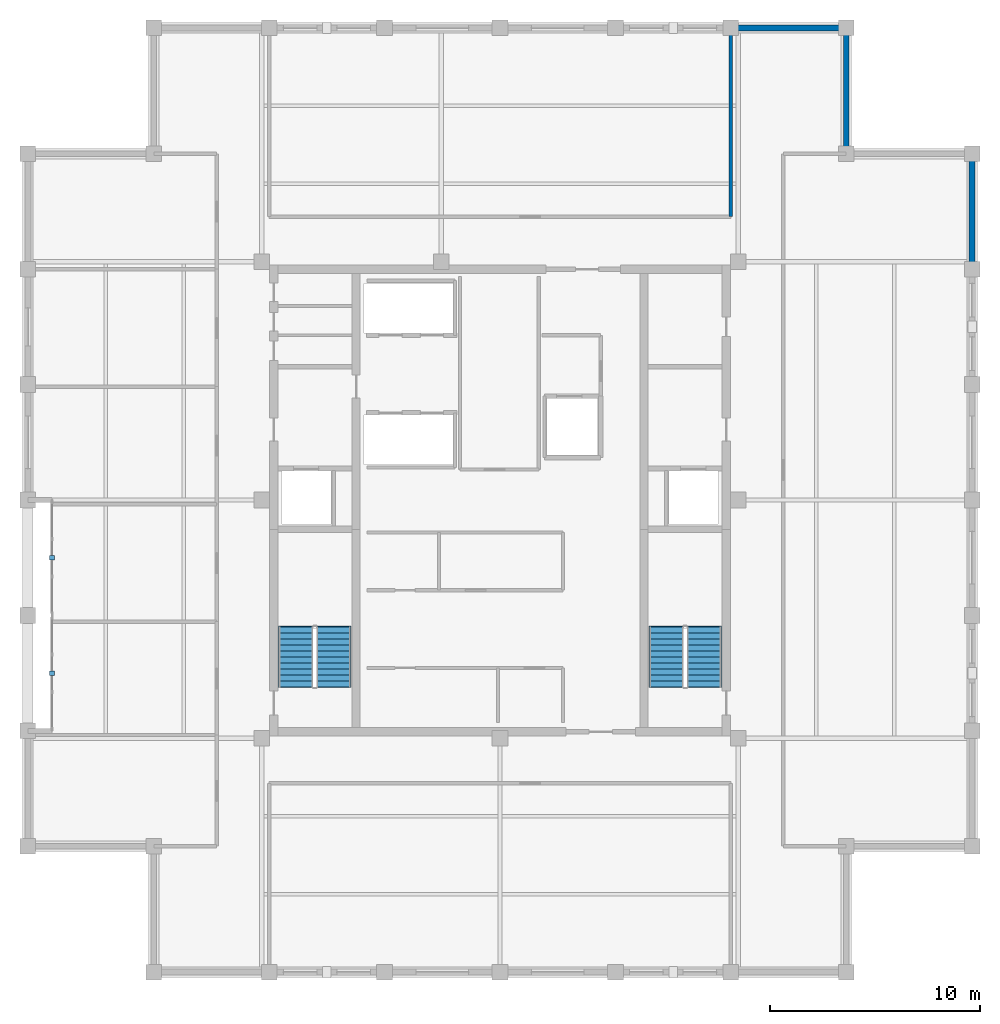
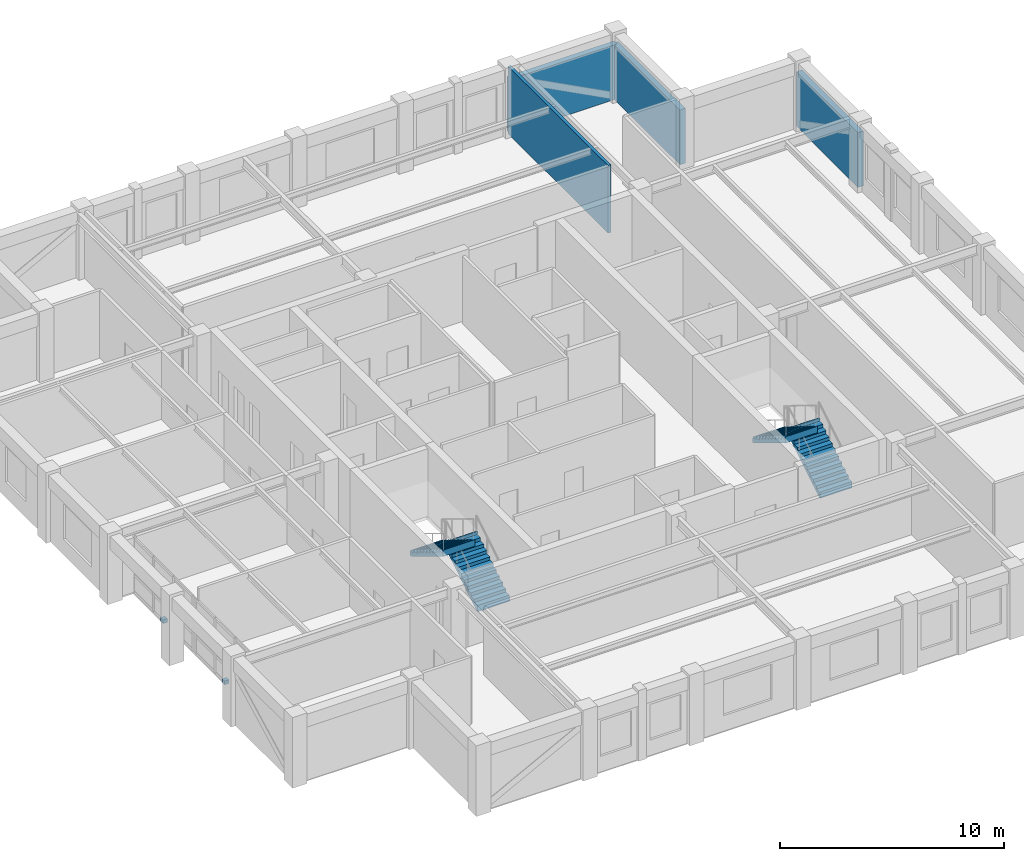
# One storey, part 9 of 10: 4 stair flights, 4 walls, 2 discrete accessories, 2 elements without a shape of their own.
"""IFC4 building model written with IfcOpenShell, lengths in metres."""

from ifc_helpers import new_model, si_unit, direction, frame, frame_2d, origin, origin_2d, place, context, subcontext, project, spatial, polyline, rectangle, outline, extrude, material, layer, layer_set, type_object, element, aggregate, save


model = new_model("IFC4")

# Units and contexts
model_context = context("Model", 3, precision=1e-05, world=origin(), true_north=direction((0.0, 1.0)))
body_context = subcontext(model_context, "Body", "Model", "MODEL_VIEW")
ifc_project = project(units=[si_unit("LENGTHUNIT", "METRE"), si_unit("AREAUNIT", "SQUARE_METRE"), si_unit("VOLUMEUNIT", "CUBIC_METRE"), si_unit("PLANEANGLEUNIT", "RADIAN"), si_unit("MASSUNIT", "GRAM", prefix="KILO")], contexts=[model_context])

# Site, building, storey
site_placement = place(None, origin())
site = spatial("IfcSite", under=ifc_project, at=site_placement, CompositionType="ELEMENT")
building_placement = place(site_placement, origin())
building = spatial("IfcBuilding", under=site, at=building_placement, Name="Nhamokura Convention Tower", CompositionType="ELEMENT")
storey_placement = place(building_placement, frame((0.0, 0.0, 296.800048828125)))
storey = spatial("IfcBuildingStorey", under=building, at=storey_placement, Name="L73", CompositionType="ELEMENT", Elevation=296.800048828125)

# Walls
ifc_material_1 = material(Name="Bronze-pigmented precast concrete C45/55", Category="concrete")
ifc_layer_1 = layer(ifc_material_1, 0.280029296875)
ifc_layer_set_1 = layer_set([ifc_layer_1], Name="BronzePrecastSpandrel_280")
wall_type_1 = type_object("IfcWallType", Name="BronzePrecastSpandrel_280", PredefinedType="USERDEFINED", material=ifc_layer_set_1)
for number, where, z_axis, x_axis, name in (
    (1, (43.0, 54.5, 0.0), (0.0, 0.0, 1.0), (1.0, 0.0, 0.0), "L73 Braced-Bay Precast Wall NORTH 5"),
    (2, (54.5, 48.5, 0.0), (0.0, 0.0, 1.0), (0.0, -1.0, 0.0), "L73 Braced-Bay Precast Wall EAST 5"),
):
    element("IfcWall", number, at=place(storey_placement, frame(where, z_axis=z_axis, x_axis=x_axis)), inside=storey, type_object=wall_type_1, Name=name, ObjectType="SPANDREL_WALL", PredefinedType="USERDEFINED", context=body_context, shape_type="SweptSolid", body=[
        extrude(rectangle(XDim=5.5, YDim=0.280029296875, at=frame_2d((2.75, 0.0))), origin(), (0.0, 0.0, 1.0), 2.98486328125),
    ])
wall_1_placement = place(storey_placement, frame((48.5, 54.5, 0.0), z_axis=(0.0, 0.0, 1.0), x_axis=(0.0, -1.0, 0.0)))
element("IfcWall", 3, at=wall_1_placement, inside=storey, type_object=wall_type_1, Name="L73 Notched Corner Wall NE2", ObjectType="SPANDREL_WALL", PredefinedType="USERDEFINED", context=body_context, shape_type="SweptSolid", body=[
    extrude(rectangle(XDim=6.0, YDim=0.280029296875, at=frame_2d((3.0, 0.0))), origin(), (0.0, 0.0, 1.0), 2.98486328125),
])
ifc_material_2 = material(Name="Acoustic gypsum stud partition", Category="masonry")
ifc_layer_2 = layer(ifc_material_2, 0.14990234375)
ifc_layer_set_2 = layer_set([ifc_layer_2], Name="InteriorPartition_150")
wall_type_2 = type_object("IfcWallType", Name="InteriorPartition_150", PredefinedType="STANDARD", material=ifc_layer_set_2)
wall_2_placement = place(storey_placement, frame((43.0, 45.5, 0.0), z_axis=(0.0, 0.0, 1.0), x_axis=(0.0, 1.0, 0.0)))
element("IfcWall", 4, at=wall_2_placement, inside=storey, type_object=wall_type_2, Name="L73 Wall INT-L73-RWR-N", PredefinedType="STANDARD", context=body_context, shape_type="SweptSolid", body=[
    extrude(rectangle(XDim=8.93994140625, YDim=0.14990234375, at=frame_2d((4.469970703125, 0.0))), origin(), (0.0, 0.0, 1.0), 3.68505859375),
])

# Stair, stair flights
ifc_material_3 = material(Name="Concrete C40/50", Category="concrete")
stair_type = type_object("IfcStairType", Name="TowerCoreStair_1650", PredefinedType="HALF_TURN_STAIR", material=ifc_material_3)
stair_1_placement = place(storey_placement, origin())
stair_1 = element("IfcStair", 5, at=stair_1_placement, inside=storey, type_object=stair_type, Name="L73 West Core Smokeproof Stair ST-01", PredefinedType="HALF_TURN_STAIR")
ifc_material_4 = material(Name="Concrete C40/50", Category="concrete")
stair_flight_type = type_object("IfcStairFlightType", Name="TowerCoreStair_1650_Flight", PredefinedType="STRAIGHT", material=ifc_material_4)
stair_flight_1_placement = place(storey_placement, frame((24.074951171875, 23.10009765625, 0.0), z_axis=(0.0, 0.0, 1.0), x_axis=(0.0, 1.0, 0.0)))
stair_flight_1 = element("IfcStairFlight", 6, at=stair_flight_1_placement, type_object=stair_flight_type, Name="ST-01 flight 1", NumberOfRisers=11, NumberOfTreads=10, PredefinedType="STRAIGHT", RiserHeight=0.175, TreadLength=0.285, context=body_context, shape_type="SweptSolid", body=[
    extrude(outline(polyline([(-0.0419921875, 0.0), (0.0, 0.175048828125), (0.284912109375, 0.175048828125), (0.284912109375, 0.35009765625), (0.570068359375, 0.35009765625), (0.570068359375, 0.52490234375), (0.85498046875, 0.52490234375), (0.85498046875, 0.699951171875), (1.139892578125, 0.699951171875), (1.139892578125, 0.875), (1.425048828125, 0.875), (1.425048828125, 1.050048828125), (1.7099609375, 1.050048828125), (1.7099609375, 1.22509765625), (1.9951171875, 1.22509765625), (1.9951171875, 1.39990234375), (2.280029296875, 1.39990234375), (2.280029296875, 1.574951171875), (2.56494140625, 1.574951171875), (2.56494140625, 1.75), (2.85009765625, 1.75), (2.85009765625, 1.925048828125), (2.89208984375, 1.925048828125), (2.89208984375, 1.573974609375), (2.85009765625, 1.573974609375), (0.286376953125, 0.0), (0.02001953125, -0.1298828125), (-0.0419921875, -0.1298828125), (-0.0419921875, 0.0)])), frame((0.0, 0.824951171875, 0.0), z_axis=(0.0, -1.0, 0.0), x_axis=(1.0, 0.0, 0.0)), (0.0, 0.0, 1.0), 1.64990234375),
])
stair_flight_2_placement = place(storey_placement, frame((22.27490234375, 25.949951171875, 1.925048828125), z_axis=(0.0, 0.0, 1.0), x_axis=(0.0, -1.0, 0.0)))
stair_flight_2 = element("IfcStairFlight", 7, at=stair_flight_2_placement, type_object=stair_flight_type, Name="ST-01 flight 2", NumberOfRisers=11, NumberOfTreads=10, PredefinedType="STRAIGHT", RiserHeight=0.175, TreadLength=0.285, context=body_context, shape_type="SweptSolid", body=[
    extrude(outline(polyline([(-0.0419921875, 0.0), (0.0, 0.175048828125), (0.284912109375, 0.175048828125), (0.284912109375, 0.35009765625), (0.570068359375, 0.35009765625), (0.570068359375, 0.52490234375), (0.85498046875, 0.52490234375), (0.85498046875, 0.699951171875), (1.139892578125, 0.699951171875), (1.139892578125, 0.875), (1.425048828125, 0.875), (1.425048828125, 1.050048828125), (1.7099609375, 1.050048828125), (1.7099609375, 1.22509765625), (1.9951171875, 1.22509765625), (1.9951171875, 1.39990234375), (2.280029296875, 1.39990234375), (2.280029296875, 1.574951171875), (2.56494140625, 1.574951171875), (2.56494140625, 1.75), (2.85009765625, 1.75), (2.85009765625, 1.925048828125), (2.89208984375, 1.925048828125), (2.89208984375, 1.573974609375), (2.85009765625, 1.573974609375), (0.286376953125, 0.0), (0.02001953125, -0.1298828125), (-0.0419921875, -0.1298828125), (-0.0419921875, 0.0)])), frame((0.0, 0.824951171875, 0.0), z_axis=(0.0, -1.0, 0.0), x_axis=(1.0, 0.0, 0.0)), (0.0, 0.0, 1.0), 1.64990234375),
])
aggregate(stair_1, [stair_flight_1, stair_flight_2])

stair_2_placement = place(storey_placement, origin())
stair_2 = element("IfcStair", 8, at=stair_2_placement, inside=storey, type_object=stair_type, Name="L73 East Core Smokeproof Stair ST-02", PredefinedType="HALF_TURN_STAIR")
stair_flight_3_placement = place(storey_placement, frame((41.72509765625, 23.10009765625, 0.0), z_axis=(0.0, 0.0, 1.0), x_axis=(0.0, 1.0, 0.0)))
stair_flight_3 = element("IfcStairFlight", 9, at=stair_flight_3_placement, type_object=stair_flight_type, Name="ST-02 flight 1", NumberOfRisers=11, NumberOfTreads=10, PredefinedType="STRAIGHT", RiserHeight=0.175, TreadLength=0.285, context=body_context, shape_type="SweptSolid", body=[
    extrude(outline(polyline([(-0.0419921875, 0.0), (0.0, 0.175048828125), (0.284912109375, 0.175048828125), (0.284912109375, 0.35009765625), (0.570068359375, 0.35009765625), (0.570068359375, 0.52490234375), (0.85498046875, 0.52490234375), (0.85498046875, 0.699951171875), (1.139892578125, 0.699951171875), (1.139892578125, 0.875), (1.425048828125, 0.875), (1.425048828125, 1.050048828125), (1.7099609375, 1.050048828125), (1.7099609375, 1.22509765625), (1.9951171875, 1.22509765625), (1.9951171875, 1.39990234375), (2.280029296875, 1.39990234375), (2.280029296875, 1.574951171875), (2.56494140625, 1.574951171875), (2.56494140625, 1.75), (2.85009765625, 1.75), (2.85009765625, 1.925048828125), (2.89208984375, 1.925048828125), (2.89208984375, 1.573974609375), (2.85009765625, 1.573974609375), (0.286376953125, 0.0), (0.02001953125, -0.1298828125), (-0.0419921875, -0.1298828125), (-0.0419921875, 0.0)])), frame((0.0, 0.824951171875, 0.0), z_axis=(0.0, -1.0, 0.0), x_axis=(1.0, 0.0, 0.0)), (0.0, 0.0, 1.0), 1.64990234375),
])
stair_flight_4_placement = place(storey_placement, frame((39.925048828125, 25.949951171875, 1.925048828125), z_axis=(0.0, 0.0, 1.0), x_axis=(0.0, -1.0, 0.0)))
stair_flight_4 = element("IfcStairFlight", 10, at=stair_flight_4_placement, type_object=stair_flight_type, Name="ST-02 flight 2", NumberOfRisers=11, NumberOfTreads=10, PredefinedType="STRAIGHT", RiserHeight=0.175, TreadLength=0.285, context=body_context, shape_type="SweptSolid", body=[
    extrude(outline(polyline([(-0.0419921875, 0.0), (0.0, 0.175048828125), (0.284912109375, 0.175048828125), (0.284912109375, 0.35009765625), (0.570068359375, 0.35009765625), (0.570068359375, 0.52490234375), (0.85498046875, 0.52490234375), (0.85498046875, 0.699951171875), (1.139892578125, 0.699951171875), (1.139892578125, 0.875), (1.425048828125, 0.875), (1.425048828125, 1.050048828125), (1.7099609375, 1.050048828125), (1.7099609375, 1.22509765625), (1.9951171875, 1.22509765625), (1.9951171875, 1.39990234375), (2.280029296875, 1.39990234375), (2.280029296875, 1.574951171875), (2.56494140625, 1.574951171875), (2.56494140625, 1.75), (2.85009765625, 1.75), (2.85009765625, 1.925048828125), (2.89208984375, 1.925048828125), (2.89208984375, 1.573974609375), (2.85009765625, 1.573974609375), (0.286376953125, 0.0), (0.02001953125, -0.1298828125), (-0.0419921875, -0.1298828125), (-0.0419921875, 0.0)])), frame((0.0, 0.824951171875, 0.0), z_axis=(0.0, -1.0, 0.0), x_axis=(1.0, 0.0, 0.0)), (0.0, 0.0, 1.0), 1.64990234375),
])
aggregate(stair_2, [stair_flight_3, stair_flight_4])

# Discrete accessories
ifc_material_5 = material(Name="Steel ASTM A572 Gr 50", Category="steel")
discrete_accessory_type = type_object("IfcDiscreteAccessoryType", Name="FacadeOutstandBracket", PredefinedType="BRACKET", material=ifc_material_5)
for number, where, z_axis, x_axis, name in (
    (11, (10.64990234375, 23.75, -0.02001953125), (0.0, 0.0, 1.0), (1.0, 0.0, 0.0), "L73 Scale Slot Base Shoe Bracket WEST 1"),
    (12, (10.64990234375, 29.25, -0.02001953125), (0.0, 0.0, 1.0), (1.0, 0.0, 0.0), "L73 Scale Slot Base Shoe Bracket WEST 2"),
):
    element("IfcDiscreteAccessory", number, at=place(storey_placement, frame(where, z_axis=z_axis, x_axis=x_axis)), inside=storey, type_object=discrete_accessory_type, Name=name, PredefinedType="BRACKET", context=body_context, shape_type="SweptSolid", body=[
        extrude(rectangle(XDim=0.219970703125, YDim=0.219970703125, at=origin_2d()), origin(), (0.0, 0.0, 1.0), 0.199951171875),
    ])

save(model, "model.ifc")
